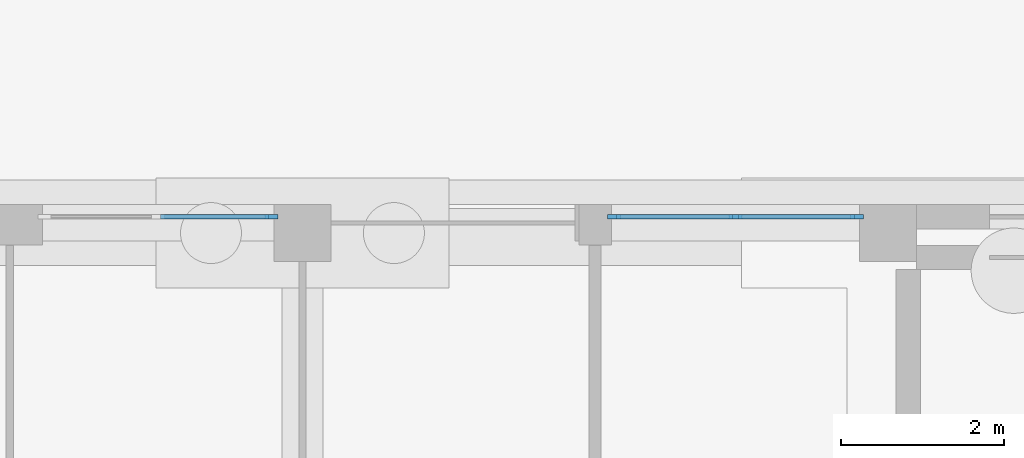
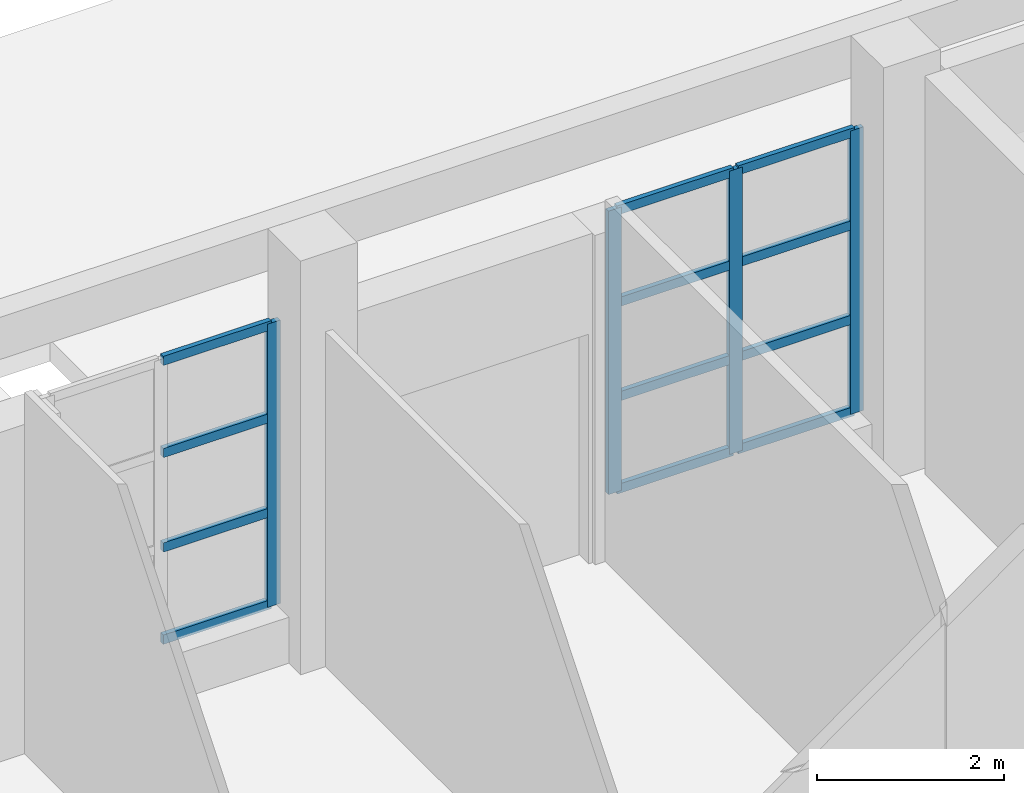
# One storey, part 29 of 80: 16 members, 2 elements without a shape of their own.
"""IFC4 building model written with IfcOpenShell, lengths in metres."""

from ifc_helpers import new_model, si_unit, direction, frame, origin, origin_2d, place, context, subcontext, project, spatial, rectangle, extrude, material, layer, layer_set, material_profile, profile_set, type_object, element, aggregate, save


model = new_model("IFC4")

# Units and contexts
model_context = context("Model", 3, precision=1e-05, world=origin(), true_north=direction((0.0, 1.0)))
body_context = subcontext(model_context, "Body", "Model", "MODEL_VIEW")
ifc_project = project(units=[si_unit("LENGTHUNIT", "METRE"), si_unit("AREAUNIT", "SQUARE_METRE"), si_unit("VOLUMEUNIT", "CUBIC_METRE"), si_unit("PLANEANGLEUNIT", "RADIAN"), si_unit("MASSUNIT", "GRAM", prefix="KILO")], contexts=[model_context])

# Site, building, storey
site_placement = place(None, origin())
site = spatial("IfcSite", under=ifc_project, at=site_placement, CompositionType="ELEMENT")
building_placement = place(site_placement, origin())
building = spatial("IfcBuilding", under=site, at=building_placement, Name="Ussher Court Research Institute", CompositionType="ELEMENT")
storey_placement = place(building_placement, origin())
storey = spatial("IfcBuildingStorey", under=building, at=storey_placement, Name="L00", CompositionType="ELEMENT", Elevation=0.0)

# Curtain wall, member
ifc_material_1 = material(Name="Bronze anodised aluminium with laminated safety glass", Category="aluminium")
ifc_layer = layer(ifc_material_1, 0.1201171875)
ifc_layer_set = layer_set([ifc_layer], Name="Bronze anodised aluminium with laminated safety glass")
curtain_wall_type = type_object("IfcCurtainWallType", Name="Curtain wall dry laboratory base storefront", PredefinedType="NOTDEFINED", material=ifc_layer_set)
curtain_wall_1_placement = place(storey_placement, origin())
curtain_wall_1 = element("IfcCurtainWall", 1, at=curtain_wall_1_placement, inside=storey, type_object=curtain_wall_type, Name="Curtain wall CW4 L00", PredefinedType="NOTDEFINED")
ifc_material_2 = material(Name="Bronze anodised aluminium", Category="aluminium")
ifc_material_profile_1 = material_profile(ifc_material_2, rectangle(XDim=0.06005859375, YDim=0.159912109375, at=origin_2d()), Name="Mullion 60x160")
ifc_profile_set_1 = profile_set([ifc_material_profile_1], Name="Bronze anodised aluminium")
member_type_1 = type_object("IfcMemberType", Name="Mullion 60x160", PredefinedType="MULLION", material=ifc_profile_set_1)
member_1_placement = place(storey_placement, frame((67.419921875, 90.64990234375, 0.60009765625), z_axis=(0.0, 0.0, 1.0), x_axis=(0.0, 1.0, 0.0)))
member_1 = element("IfcMember", 2, at=member_1_placement, type_object=member_type_1, Name="CW4 mullion 3", PredefinedType="MULLION", context=body_context, shape_type="SweptSolid", body=[
    extrude(rectangle(XDim=0.06005859375, YDim=0.159912109375, at=origin_2d()), origin(), (0.0, 0.0, 1.0), 3.699951171875),
])

# Curtain wall, members
curtain_wall_2_placement = place(storey_placement, origin())
curtain_wall_2 = element("IfcCurtainWall", 3, at=curtain_wall_2_placement, inside=storey, type_object=curtain_wall_type, Name="Curtain wall CW4 L00", PredefinedType="NOTDEFINED")
member_2_placement = place(storey_placement, frame((71.6298828125, 90.64990234375, 0.60009765625), z_axis=(0.0, 0.0, 1.0), x_axis=(0.0, 1.0, 0.0)))
member_2 = element("IfcMember", 4, at=member_2_placement, type_object=member_type_1, Name="CW4 mullion 1", PredefinedType="MULLION", context=body_context, shape_type="SweptSolid", body=[
    extrude(rectangle(XDim=0.06005859375, YDim=0.159912109375, at=origin_2d()), origin(), (0.0, 0.0, 1.0), 3.699951171875),
])
member_3_placement = place(storey_placement, frame((73.125, 90.64990234375, 0.60009765625), z_axis=(0.0, 0.0, 1.0), x_axis=(0.0, 1.0, 0.0)))
member_3 = element("IfcMember", 5, at=member_3_placement, type_object=member_type_1, Name="CW4 mullion 2", PredefinedType="MULLION", context=body_context, shape_type="SweptSolid", body=[
    extrude(rectangle(XDim=0.06005859375, YDim=0.159912109375, at=origin_2d()), origin(), (0.0, 0.0, 1.0), 3.699951171875),
])
member_4_placement = place(storey_placement, frame((74.6201171875, 90.64990234375, 0.60009765625), z_axis=(0.0, 0.0, 1.0), x_axis=(0.0, 1.0, 0.0)))
member_4 = element("IfcMember", 6, at=member_4_placement, type_object=member_type_1, Name="CW4 mullion 3", PredefinedType="MULLION", context=body_context, shape_type="SweptSolid", body=[
    extrude(rectangle(XDim=0.06005859375, YDim=0.159912109375, at=origin_2d()), origin(), (0.0, 0.0, 1.0), 3.699951171875),
])

# Member
ifc_material_3 = material(Name="Bronze anodised aluminium", Category="aluminium")
ifc_material_profile_2 = material_profile(ifc_material_3, rectangle(XDim=0.06005859375, YDim=0.1201171875, at=origin_2d()), Name="Transom 60x120")
ifc_profile_set_2 = profile_set([ifc_material_profile_2], Name="Bronze anodised aluminium")
member_type_2 = type_object("IfcMemberType", Name="Transom 60x120", PredefinedType="USERDEFINED", material=ifc_profile_set_2)
member_5_placement = place(storey_placement, frame((66.054931640625, 90.64990234375, 0.6298828125), z_axis=(1.0, 0.0, 0.0), x_axis=(0.0, 1.0, 0.0)))
member_5 = element("IfcMember", 7, at=member_5_placement, type_object=member_type_2, Name="CW4 transom 2.1", ObjectType="TRANSOM", PredefinedType="USERDEFINED", context=body_context, shape_type="SweptSolid", body=[
    extrude(rectangle(XDim=0.06005859375, YDim=0.1201171875, at=origin_2d()), origin(), (0.0, 0.0, 1.0), 1.3349609375),
])

member_6_placement = place(storey_placement, frame((66.054931640625, 90.64990234375, 1.833251953125), z_axis=(1.0, 0.0, 0.0), x_axis=(0.0, 1.0, 0.0)))
member_6 = element("IfcMember", 8, at=member_6_placement, type_object=member_type_2, Name="CW4 transom 2.2", ObjectType="TRANSOM", PredefinedType="USERDEFINED", context=body_context, shape_type="SweptSolid", body=[
    extrude(rectangle(XDim=0.06005859375, YDim=0.1201171875, at=origin_2d()), origin(), (0.0, 0.0, 1.0), 1.3349609375),
])

member_7_placement = place(storey_placement, frame((66.054931640625, 90.64990234375, 3.066650390625), z_axis=(1.0, 0.0, 0.0), x_axis=(0.0, 1.0, 0.0)))
member_7 = element("IfcMember", 9, at=member_7_placement, type_object=member_type_2, Name="CW4 transom 2.3", ObjectType="TRANSOM", PredefinedType="USERDEFINED", context=body_context, shape_type="SweptSolid", body=[
    extrude(rectangle(XDim=0.06005859375, YDim=0.1201171875, at=origin_2d()), origin(), (0.0, 0.0, 1.0), 1.3349609375),
])

member_8_placement = place(storey_placement, frame((66.054931640625, 90.64990234375, 4.27001953125), z_axis=(1.0, 0.0, 0.0), x_axis=(0.0, 1.0, 0.0)))
member_8 = element("IfcMember", 10, at=member_8_placement, type_object=member_type_2, Name="CW4 transom 2.4", ObjectType="TRANSOM", PredefinedType="USERDEFINED", context=body_context, shape_type="SweptSolid", body=[
    extrude(rectangle(XDim=0.06005859375, YDim=0.1201171875, at=origin_2d()), origin(), (0.0, 0.0, 1.0), 1.3349609375),
])

aggregate(curtain_wall_1, [member_1, member_5, member_6, member_7, member_8])

member_9_placement = place(storey_placement, frame((71.659912109375, 90.64990234375, 0.6298828125), z_axis=(1.0, 0.0, 0.0), x_axis=(0.0, 1.0, 0.0)))
member_9 = element("IfcMember", 11, at=member_9_placement, type_object=member_type_2, Name="CW4 transom 1.1", ObjectType="TRANSOM", PredefinedType="USERDEFINED", context=body_context, shape_type="SweptSolid", body=[
    extrude(rectangle(XDim=0.06005859375, YDim=0.1201171875, at=origin_2d()), origin(), (0.0, 0.0, 1.0), 1.43505859375),
])

member_10_placement = place(storey_placement, frame((71.659912109375, 90.64990234375, 1.833251953125), z_axis=(1.0, 0.0, 0.0), x_axis=(0.0, 1.0, 0.0)))
member_10 = element("IfcMember", 12, at=member_10_placement, type_object=member_type_2, Name="CW4 transom 1.2", ObjectType="TRANSOM", PredefinedType="USERDEFINED", context=body_context, shape_type="SweptSolid", body=[
    extrude(rectangle(XDim=0.06005859375, YDim=0.1201171875, at=origin_2d()), origin(), (0.0, 0.0, 1.0), 1.43505859375),
])

member_11_placement = place(storey_placement, frame((71.659912109375, 90.64990234375, 3.066650390625), z_axis=(1.0, 0.0, 0.0), x_axis=(0.0, 1.0, 0.0)))
member_11 = element("IfcMember", 13, at=member_11_placement, type_object=member_type_2, Name="CW4 transom 1.3", ObjectType="TRANSOM", PredefinedType="USERDEFINED", context=body_context, shape_type="SweptSolid", body=[
    extrude(rectangle(XDim=0.06005859375, YDim=0.1201171875, at=origin_2d()), origin(), (0.0, 0.0, 1.0), 1.43505859375),
])

member_12_placement = place(storey_placement, frame((71.659912109375, 90.64990234375, 4.27001953125), z_axis=(1.0, 0.0, 0.0), x_axis=(0.0, 1.0, 0.0)))
member_12 = element("IfcMember", 14, at=member_12_placement, type_object=member_type_2, Name="CW4 transom 1.4", ObjectType="TRANSOM", PredefinedType="USERDEFINED", context=body_context, shape_type="SweptSolid", body=[
    extrude(rectangle(XDim=0.06005859375, YDim=0.1201171875, at=origin_2d()), origin(), (0.0, 0.0, 1.0), 1.43505859375),
])

member_13_placement = place(storey_placement, frame((73.155029296875, 90.64990234375, 0.6298828125), z_axis=(1.0, 0.0, 0.0), x_axis=(0.0, 1.0, 0.0)))
member_13 = element("IfcMember", 15, at=member_13_placement, type_object=member_type_2, Name="CW4 transom 2.1", ObjectType="TRANSOM", PredefinedType="USERDEFINED", context=body_context, shape_type="SweptSolid", body=[
    extrude(rectangle(XDim=0.06005859375, YDim=0.1201171875, at=origin_2d()), origin(), (0.0, 0.0, 1.0), 1.43505859375),
])

member_14_placement = place(storey_placement, frame((73.155029296875, 90.64990234375, 1.833251953125), z_axis=(1.0, 0.0, 0.0), x_axis=(0.0, 1.0, 0.0)))
member_14 = element("IfcMember", 16, at=member_14_placement, type_object=member_type_2, Name="CW4 transom 2.2", ObjectType="TRANSOM", PredefinedType="USERDEFINED", context=body_context, shape_type="SweptSolid", body=[
    extrude(rectangle(XDim=0.06005859375, YDim=0.1201171875, at=origin_2d()), origin(), (0.0, 0.0, 1.0), 1.43505859375),
])

member_15_placement = place(storey_placement, frame((73.155029296875, 90.64990234375, 3.066650390625), z_axis=(1.0, 0.0, 0.0), x_axis=(0.0, 1.0, 0.0)))
member_15 = element("IfcMember", 17, at=member_15_placement, type_object=member_type_2, Name="CW4 transom 2.3", ObjectType="TRANSOM", PredefinedType="USERDEFINED", context=body_context, shape_type="SweptSolid", body=[
    extrude(rectangle(XDim=0.06005859375, YDim=0.1201171875, at=origin_2d()), origin(), (0.0, 0.0, 1.0), 1.43505859375),
])

member_16_placement = place(storey_placement, frame((73.155029296875, 90.64990234375, 4.27001953125), z_axis=(1.0, 0.0, 0.0), x_axis=(0.0, 1.0, 0.0)))
member_16 = element("IfcMember", 18, at=member_16_placement, type_object=member_type_2, Name="CW4 transom 2.4", ObjectType="TRANSOM", PredefinedType="USERDEFINED", context=body_context, shape_type="SweptSolid", body=[
    extrude(rectangle(XDim=0.06005859375, YDim=0.1201171875, at=origin_2d()), origin(), (0.0, 0.0, 1.0), 1.43505859375),
])

aggregate(curtain_wall_2, [member_2, member_3, member_4, member_9, member_10, member_11, member_12, member_13, member_14, member_15, member_16])

save(model, "model.ifc")
